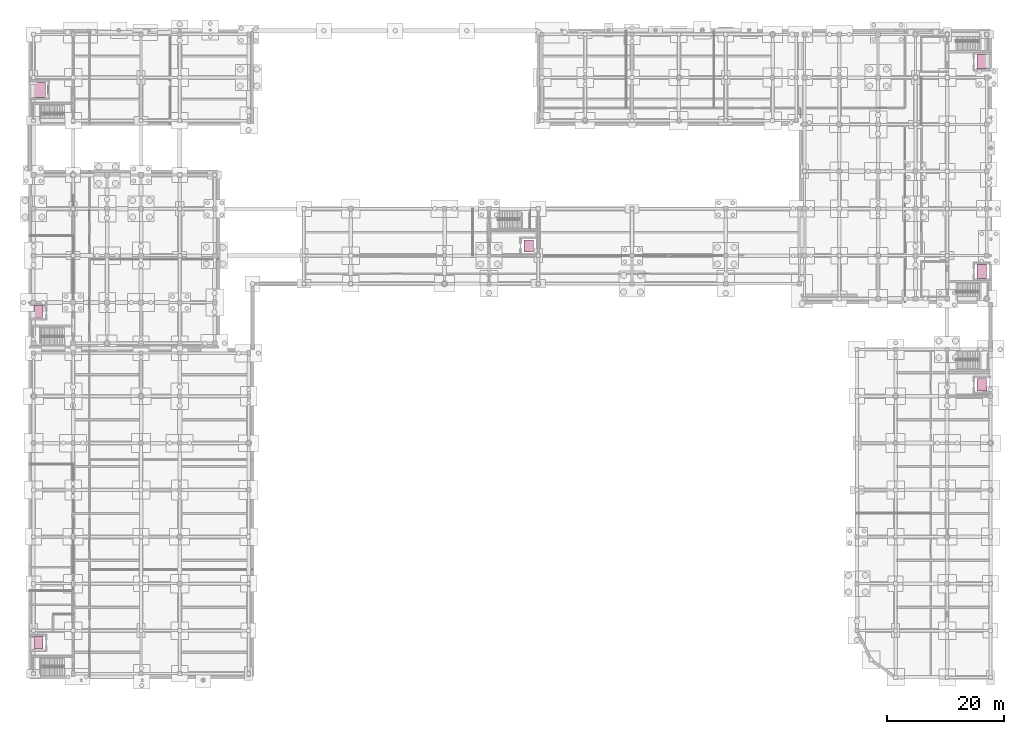
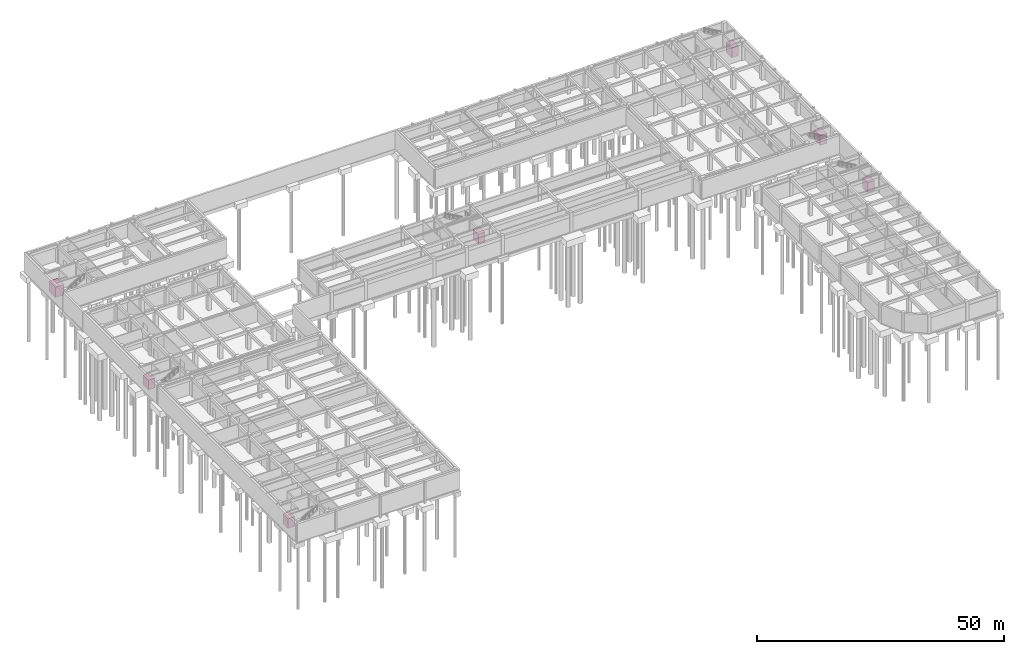
# One storey, part 35 of 35: 7 transport elements.
"""IFC4 building model written with IfcOpenShell, lengths in metres."""

from ifc_helpers import new_model, si_unit, direction, frame, origin, origin_2d, place, context, subcontext, project, spatial, rectangle, extrude, material, type_object, element, save


model = new_model("IFC4")

# Units and contexts
model_context = context("Model", 3, precision=1e-05, world=origin(), true_north=direction((0.0, 1.0)))
body_context = subcontext(model_context, "Body", "Model", "MODEL_VIEW")
ifc_project = project(units=[si_unit("LENGTHUNIT", "METRE"), si_unit("AREAUNIT", "SQUARE_METRE"), si_unit("VOLUMEUNIT", "CUBIC_METRE"), si_unit("PLANEANGLEUNIT", "RADIAN"), si_unit("MASSUNIT", "GRAM", prefix="KILO")], contexts=[model_context])

# Site, building, storey
site_placement = place(None, origin())
site = spatial("IfcSite", under=ifc_project, at=site_placement, CompositionType="ELEMENT")
building_placement = place(site_placement, origin())
building = spatial("IfcBuilding", under=site, at=building_placement, Name="Cinchona Park Media Centre", CompositionType="ELEMENT")
storey_placement = place(building_placement, frame((0.0, 0.0, -4.800048828125)))
storey = spatial("IfcBuildingStorey", under=building, at=storey_placement, Name="B1", CompositionType="ELEMENT", Elevation=-4.800048828125)

# Transport elements
ifc_material_1 = material(Name="Stainless Steel Lift Car Assembly", Category="steel")
transport_element_type_1 = type_object("IfcTransportElementType", Name="LIFT-LFT-FF", PredefinedType="ELEVATOR", material=ifc_material_1)
for number, where, z_axis, x_axis, name in (
    (1, (170.5, 76.89990234375, 0.05029296875), (0.0, 0.0, 1.0), (1.0, 0.0, 0.0), "Firefighting Lift LF1"),
    (2, (170.5, 112.699951171875, 0.05029296875), (0.0, 0.0, 1.0), (1.0, 0.0, 0.0), "Firefighting Lift LF2"),
):
    element("IfcTransportElement", number, at=place(storey_placement, frame(where, z_axis=z_axis, x_axis=x_axis)), inside=storey, type_object=transport_element_type_1, Name=name, PredefinedType="ELEVATOR", context=body_context, shape_type="SweptSolid", body=[
        extrude(rectangle(XDim=1.60009765625, YDim=2.39990234375, at=origin_2d()), origin(), (0.0, 0.0, 1.0), 2.449951171875),
    ])
ifc_material_2 = material(Name="Heavy-Duty Goods Lift Car Assembly", Category="steel")
transport_element_type_2 = type_object("IfcTransportElementType", Name="LIFT-LFT-GD", PredefinedType="ELEVATOR", material=ifc_material_2)
transport_element_placement = place(storey_placement, frame((9.699951171875, 107.89990234375, 0.0498046875), z_axis=(0.0, 0.0, 1.0), x_axis=(1.0, 0.0, 0.0)))
element("IfcTransportElement", 3, at=transport_element_placement, inside=storey, type_object=transport_element_type_2, Name="Passenger Lift LG1", PredefinedType="ELEVATOR", context=body_context, shape_type="SweptSolid", body=[
    extrude(rectangle(XDim=2.0, YDim=2.60009765625, at=origin_2d()), origin(), (0.0, 0.0, 1.0), 2.550048828125),
])
ifc_material_3 = material(Name="Stainless Steel Lift Car Assembly", Category="steel")
transport_element_type_3 = type_object("IfcTransportElementType", Name="LIFT-LFT-PS", PredefinedType="ELEVATOR", material=ifc_material_3)
for number, where, z_axis, x_axis, name in (
    (4, (9.5, 70.050048828125, 0.050048828125), (0.0, 0.0, 1.0), (1.0, 0.0, 0.0), "Passenger Lift LP1"),
    (5, (93.14990234375, 81.25, 0.050048828125), (0.0, 0.0, 1.0), (1.0, 0.0, 0.0), "Passenger Lift LP2"),
    (6, (9.5, 13.5, 0.050048828125), (0.0, 0.0, 1.0), (1.0, 0.0, 0.0), "Passenger Lift LP3"),
    (7, (170.5, 57.550048828125, 0.050048828125), (0.0, 0.0, 1.0), (1.0, 0.0, 0.0), "Passenger Lift LP4"),
):
    element("IfcTransportElement", number, at=place(storey_placement, frame(where, z_axis=z_axis, x_axis=x_axis)), inside=storey, type_object=transport_element_type_3, Name=name, PredefinedType="ELEVATOR", context=body_context, shape_type="SweptSolid", body=[
        extrude(rectangle(XDim=1.60009765625, YDim=2.10009765625, at=origin_2d()), origin(), (0.0, 0.0, 1.0), 2.39990234375),
    ])

save(model, "model.ifc")
